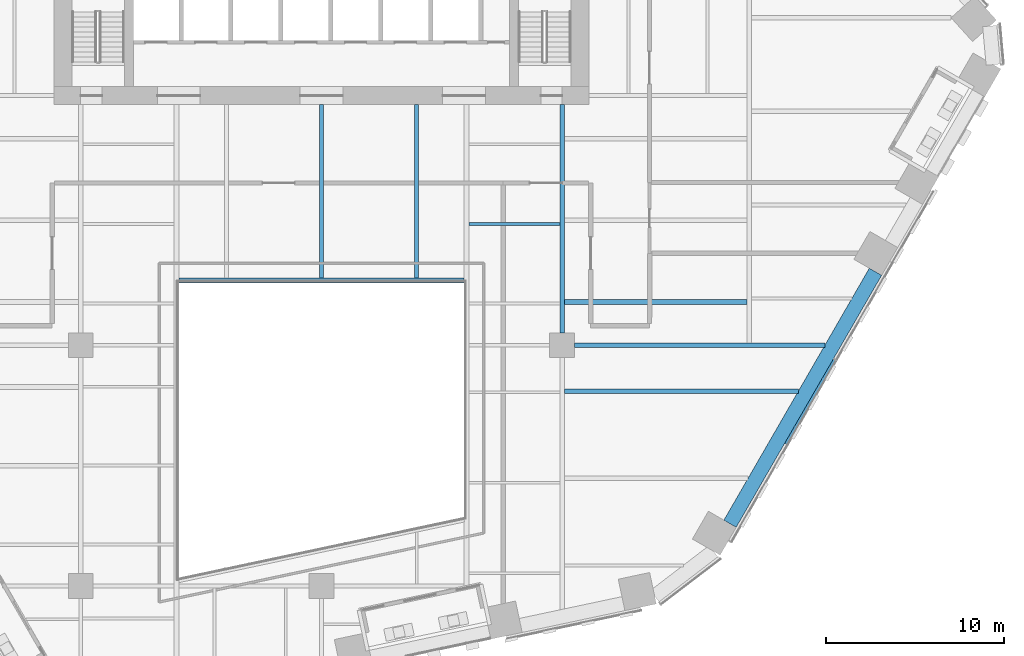
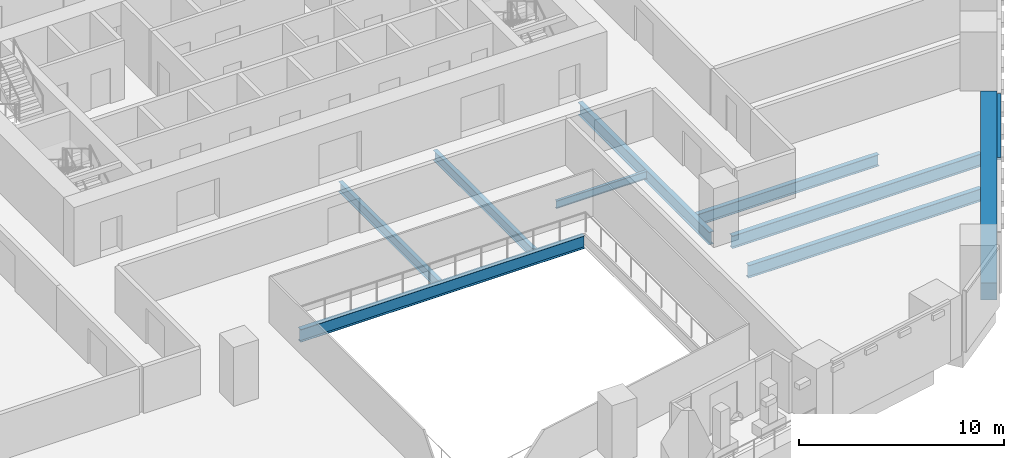
# One storey, part 7 of 31: 9 beams, 1 member, 1 element without a shape of its own.
"""IFC4 building model written with IfcOpenShell, lengths in metres."""

from ifc_helpers import new_model, si_unit, direction, frame, origin, origin_2d, place, context, subcontext, project, spatial, rectangle, i_section, extrude, material, layer, layer_set, material_profile, profile_set, type_object, element, aggregate, save


model = new_model("IFC4")

# Units and contexts
model_context = context("Model", 3, precision=1e-05, world=origin(), true_north=direction((0.0, 1.0)))
body_context = subcontext(model_context, "Body", "Model", "MODEL_VIEW")
ifc_project = project(units=[si_unit("LENGTHUNIT", "METRE"), si_unit("AREAUNIT", "SQUARE_METRE"), si_unit("VOLUMEUNIT", "CUBIC_METRE"), si_unit("PLANEANGLEUNIT", "RADIAN"), si_unit("MASSUNIT", "GRAM", prefix="KILO")], contexts=[model_context])

# Site, building, storey
site_placement = place(None, origin())
site = spatial("IfcSite", under=ifc_project, at=site_placement, CompositionType="ELEMENT")
building_placement = place(site_placement, origin())
building = spatial("IfcBuilding", under=site, at=building_placement, Name="Isthmus Gate Tower", CompositionType="ELEMENT")
storey_placement = place(building_placement, frame((0.0, 0.0, 39.64990234375)))
storey = spatial("IfcBuildingStorey", under=building, at=storey_placement, Name="L07", CompositionType="ELEMENT", Elevation=39.64990234375)

# Curtain wall, member
ifc_material_1 = material(Name="Aluminium, pale champagne anodised", Category="aluminium")
ifc_layer = layer(ifc_material_1, 0.199951171875)
ifc_layer_set = layer_set([ifc_layer], Name="CW-1 UNITISED CURTAIN WALL 200 DEEP")
curtain_wall_type = type_object("IfcCurtainWallType", Name="CW-1 UNITISED CURTAIN WALL 200 DEEP", PredefinedType="NOTDEFINED", material=ifc_layer_set)
curtain_wall_placement = place(storey_placement, origin())
curtain_wall = element("IfcCurtainWall", 1, at=curtain_wall_placement, inside=storey, type_object=curtain_wall_type, Name="CW-1 SE L07", PredefinedType="NOTDEFINED")
ifc_material_2 = material(Name="Aluminium, pale champagne anodised", Category="aluminium")
ifc_material_profile_1 = material_profile(ifc_material_2, rectangle(XDim=0.199951171875, YDim=0.14990234375, at=origin_2d()), Name="200x150")
ifc_profile_set_1 = profile_set([ifc_material_profile_1], Name="Aluminium, pale champagne anodised")
member_type = type_object("IfcMemberType", Name="CW-1 TRANSOM 200 X 150", PredefinedType="USERDEFINED", material=ifc_profile_set_1)
member_placement = place(storey_placement, frame((26.06787109375, -19.04931640625, 3.5751953125), z_axis=(0.499991872758, 0.866030095999, 0.0), x_axis=(-0.866030095999, 0.499991872758, 0.0)))
member = element("IfcMember", 2, at=member_placement, type_object=member_type, Name="CW-1 transom", ObjectType="TRANSOM", PredefinedType="USERDEFINED", context=body_context, shape_type="SweptSolid", body=[
    extrude(rectangle(XDim=0.199951171875, YDim=0.14990234375, at=origin_2d()), origin(), (0.0, 0.0, 1.0), 5.4384765625),
])
aggregate(curtain_wall, [member])

# Beams
ifc_material_3 = material(Name="Concrete f'c 70 MPa", Category="concrete")
ifc_material_profile_2 = material_profile(ifc_material_3, rectangle(XDim=0.800048828125, YDim=1.0, at=origin_2d()), Name="RC 800X1000")
ifc_profile_set_2 = profile_set([ifc_material_profile_2], Name="Concrete f'c 70 MPa")
beam_type_1 = type_object("IfcBeamType", Name="RC SPANDREL 800 X 1000", PredefinedType="SPANDREL", material=ifc_profile_set_2)
beam_1_placement = place(storey_placement, frame((31.0732421875, -9.37939453125, -0.5), z_axis=(-0.499991872758, -0.866030095999, 0.0), x_axis=(0.866030095999, -0.499991872758, 0.0)))
element("IfcBeam", 3, at=beam_1_placement, inside=storey, type_object=beam_type_1, Name="str-spandrel-L07-08", PredefinedType="SPANDREL", context=body_context, shape_type="SweptSolid", body=[
    extrude(rectangle(XDim=0.800048828125, YDim=1.0, at=origin_2d()), origin(), (0.0, 0.0, 1.0), 16.315673828125),
])
ifc_material_4 = material(Name="Structural steel ASTM A992 Gr 50", Category="steel")
ifc_material_profile_3 = material_profile(ifc_material_4, i_section(OverallWidth=0.15234375, OverallDepth=0.45068359375, WebThickness=0.0078125, FlangeThickness=0.010986328125, at=origin_2d()), Name="W18X35")
ifc_profile_set_3 = profile_set([ifc_material_profile_3], Name="Structural steel ASTM A992 Gr 50")
beam_type_2 = type_object("IfcBeamType", Name="STEEL FLOOR BEAM W18X35", PredefinedType="JOIST", material=ifc_profile_set_3)
beam_2_placement = place(storey_placement, frame((8.263427734375, -6.697509765625, -0.375244140625), z_axis=(1.0, 0.0, 0.0), x_axis=(0.0, 1.0, 0.0)))
element("IfcBeam", 4, at=beam_2_placement, inside=storey, type_object=beam_type_2, Name="str-beam-L07-27-01", PredefinedType="JOIST", context=body_context, shape_type="SweptSolid", body=[
    extrude(i_section(OverallWidth=0.15234375, OverallDepth=0.45068359375, WebThickness=0.0078125, FlangeThickness=0.010986328125, at=origin_2d()), origin(), (0.0, 0.0, 1.0), 5.104736328125),
])
ifc_material_5 = material(Name="Structural steel ASTM A992 Gr 50", Category="steel")
ifc_material_profile_4 = material_profile(ifc_material_5, i_section(OverallWidth=0.228515625, OverallDepth=0.603271484375, WebThickness=0.010986328125, FlangeThickness=0.014404296875, at=origin_2d()), Name="W24X68")
ifc_profile_set_4 = profile_set([ifc_material_profile_4], Name="Structural steel ASTM A992 Gr 50")
beam_type_3 = type_object("IfcBeamType", Name="STEEL FLOOR BEAM W24X68", PredefinedType="JOIST", material=ifc_profile_set_4)
for number, where, z_axis, x_axis, name in (
    (5, (0.0, -9.7333984375, -0.451416015625), (0.0, 1.0, 0.0), (-1.0, 0.0, 0.0), "str-beam-L07-18-01"),
    (6, (5.333251953125, -9.7333984375, -0.451416015625), (0.0, 1.0, 0.0), (-1.0, 0.0, 0.0), "str-beam-L07-18-02"),
):
    element("IfcBeam", number, at=place(storey_placement, frame(where, z_axis=z_axis, x_axis=x_axis)), inside=storey, type_object=beam_type_3, Name=name, PredefinedType="JOIST", context=body_context, shape_type="SweptSolid", body=[
        extrude(i_section(OverallWidth=0.228515625, OverallDepth=0.603271484375, WebThickness=0.010986328125, FlangeThickness=0.014404296875, at=origin_2d()), origin(), (0.0, 0.0, 1.0), 9.7333984375),
    ])
ifc_material_6 = material(Name="Structural steel ASTM A992 Gr 50", Category="steel")
ifc_material_profile_5 = material_profile(ifc_material_6, i_section(OverallWidth=0.25390625, OverallDepth=0.679443359375, WebThickness=0.010986328125, FlangeThickness=0.015869140625, at=origin_2d()), Name="W27X84")
ifc_profile_set_5 = profile_set([ifc_material_profile_5], Name="Structural steel ASTM A992 Gr 50")
beam_type_4 = type_object("IfcBeamType", Name="STEEL FLOOR BEAM W27X84", PredefinedType="JOIST", material=ifc_profile_set_5)
beam_3_placement = place(storey_placement, frame((13.6318359375, -11.07470703125, -0.489501953125), z_axis=(1.0, 0.0, 0.0), x_axis=(0.0, 1.0, 0.0)))
element("IfcBeam", 7, at=beam_3_placement, inside=storey, type_object=beam_type_4, Name="str-beam-L07-32-00", PredefinedType="JOIST", context=body_context, shape_type="SweptSolid", body=[
    extrude(i_section(OverallWidth=0.25390625, OverallDepth=0.679443359375, WebThickness=0.010986328125, FlangeThickness=0.015869140625, at=origin_2d()), origin(), (0.0, 0.0, 1.0), 10.23486328125),
])
ifc_material_7 = material(Name="Structural steel ASTM A992 Gr 50", Category="steel")
ifc_material_profile_6 = material_profile(ifc_material_7, i_section(OverallWidth=0.263427734375, OverallDepth=0.749267578125, WebThickness=0.0126953125, FlangeThickness=0.015869140625, at=origin_2d()), Name="W30X90")
ifc_profile_set_6 = profile_set([ifc_material_profile_6], Name="Structural steel ASTM A992 Gr 50")
beam_type_5 = type_object("IfcBeamType", Name="STEEL FLOOR BEAM W30X90", PredefinedType="JOIST", material=ifc_profile_set_6)
beam_4_placement = place(storey_placement, frame((13.63330078125, -16.0751953125, -0.524658203125), z_axis=(1.0, 0.0, 0.0), x_axis=(0.0, 1.0, 0.0)))
element("IfcBeam", 8, at=beam_4_placement, inside=storey, type_object=beam_type_5, Name="str-beam-L07-33-02", PredefinedType="JOIST", context=body_context, shape_type="SweptSolid", body=[
    extrude(i_section(OverallWidth=0.263427734375, OverallDepth=0.749267578125, WebThickness=0.0126953125, FlangeThickness=0.015869140625, at=origin_2d()), origin(), (0.0, 0.0, 1.0), 13.1123046875),
])
ifc_material_8 = material(Name="Structural steel ASTM A992 Gr 50", Category="steel")
ifc_material_profile_7 = material_profile(ifc_material_8, i_section(OverallWidth=0.2666015625, OverallDepth=0.7587890625, WebThickness=0.014404296875, FlangeThickness=0.01904296875, at=origin_2d()), Name="W30X108")
ifc_profile_set_7 = profile_set([ifc_material_profile_7], Name="Structural steel ASTM A992 Gr 50")
beam_type_6 = type_object("IfcBeamType", Name="STEEL GIRDER W30X108", PredefinedType="BEAM", material=ifc_profile_set_7)
beam_5_placement = place(storey_placement, frame((14.199951171875, -13.5, -0.529296875), z_axis=(1.0, 0.0, 0.0), x_axis=(0.0, 1.0, 0.0)))
element("IfcBeam", 9, at=beam_5_placement, inside=storey, type_object=beam_type_6, Name="str-girder-L07-08", PredefinedType="BEAM", context=body_context, shape_type="SweptSolid", body=[
    extrude(i_section(OverallWidth=0.2666015625, OverallDepth=0.7587890625, WebThickness=0.014404296875, FlangeThickness=0.01904296875, at=origin_2d()), origin(), (0.0, 0.0, 1.0), 14.032470703125),
])
ifc_material_9 = material(Name="Structural steel ASTM A992 Gr 50", Category="steel")
ifc_material_profile_8 = material_profile(ifc_material_9, i_section(OverallWidth=0.263427734375, OverallDepth=0.749267578125, WebThickness=0.0126953125, FlangeThickness=0.015869140625, at=origin_2d()), Name="W30X90")
ifc_profile_set_8 = profile_set([ifc_material_profile_8], Name="Structural steel ASTM A992 Gr 50")
beam_type_7 = type_object("IfcBeamType", Name="STEEL GIRDER W30X90", PredefinedType="BEAM", material=ifc_profile_set_8)
beam_6_placement = place(storey_placement, frame((13.5, -12.800048828125, -0.524658203125), z_axis=(0.0, 1.0, 0.0), x_axis=(-1.0, 0.0, 0.0)))
element("IfcBeam", 10, at=beam_6_placement, inside=storey, type_object=beam_type_7, Name="str-girder-L07-32", PredefinedType="BEAM", context=body_context, shape_type="SweptSolid", body=[
    extrude(i_section(OverallWidth=0.263427734375, OverallDepth=0.749267578125, WebThickness=0.0126953125, FlangeThickness=0.015869140625, at=origin_2d()), origin(), (0.0, 0.0, 1.0), 12.800048828125),
])
ifc_material_10 = material(Name="Structural steel ASTM A992 Gr 50", Category="steel")
ifc_material_profile_9 = material_profile(ifc_material_10, i_section(OverallWidth=0.2666015625, OverallDepth=0.7587890625, WebThickness=0.014404296875, FlangeThickness=0.01904296875, at=origin_2d()), Name="W30X108")
ifc_profile_set_9 = profile_set([ifc_material_profile_9], Name="Structural steel ASTM A992 Gr 50")
beam_type_8 = type_object("IfcBeamType", Name="STEEL TRIMMER W30X108", PredefinedType="BEAM", material=ifc_profile_set_9)
beam_7_placement = place(storey_placement, frame((8.0, -9.86669921875, -0.529296875), z_axis=(-1.0, 0.0, 0.0), x_axis=(0.0, -1.0, 0.0)))
element("IfcBeam", 11, at=beam_7_placement, inside=storey, type_object=beam_type_8, Name="str-trimmer-L07-04", PredefinedType="BEAM", context=body_context, shape_type="SweptSolid", body=[
    extrude(i_section(OverallWidth=0.2666015625, OverallDepth=0.7587890625, WebThickness=0.014404296875, FlangeThickness=0.01904296875, at=origin_2d()), origin(), (0.0, 0.0, 1.0), 16.0),
])

save(model, "model.ifc")
